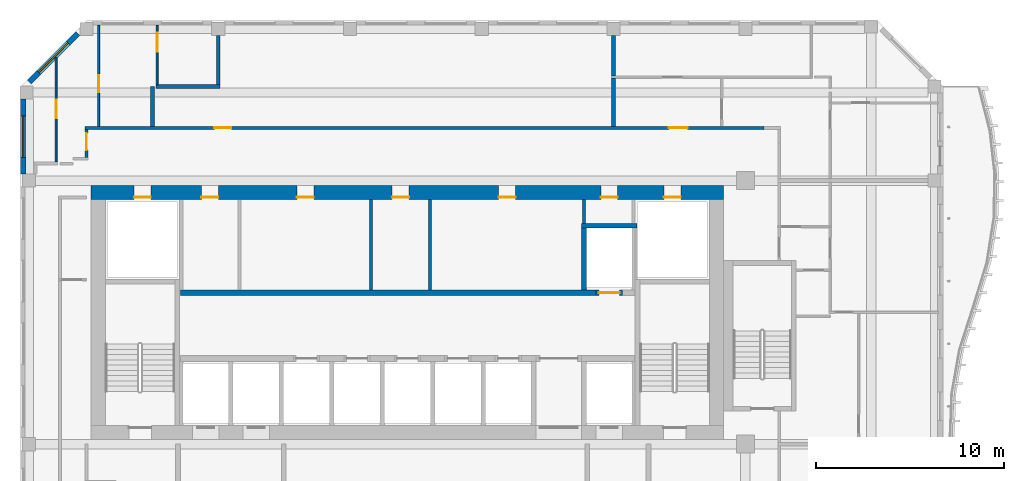
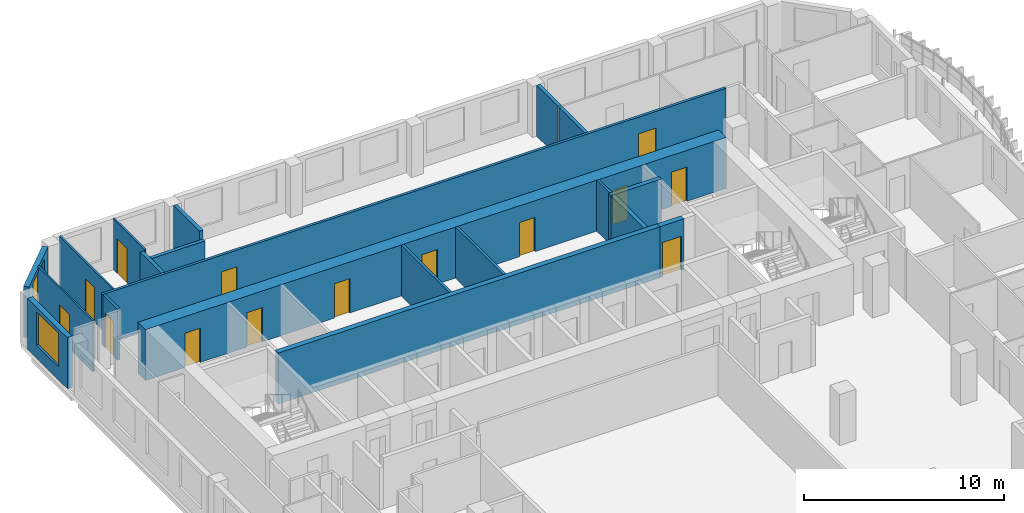
# One storey, part 7 of 19: 20 walls, 14 doors, 2 windows, 16 openings.
"""IFC4 building model written with IfcOpenShell, lengths in metres."""

from ifc_helpers import new_model, si_unit, direction, frame, frame_2d, origin, place, context, subcontext, project, spatial, rectangle, extrude, source, transform, mapped, material, layer, layer_set, type_object, element, fill, save


model = new_model("IFC4")

# Units and contexts
model_context = context("Model", 3, precision=1e-05, world=origin(), true_north=direction((0.0, 1.0)))
body_context = subcontext(model_context, "Body", "Model", "MODEL_VIEW")
ifc_project = project(units=[si_unit("LENGTHUNIT", "METRE"), si_unit("AREAUNIT", "SQUARE_METRE"), si_unit("VOLUMEUNIT", "CUBIC_METRE"), si_unit("PLANEANGLEUNIT", "RADIAN"), si_unit("MASSUNIT", "GRAM", prefix="KILO")], contexts=[model_context])

# Site, building, storey
site_placement = place(None, origin())
site = spatial("IfcSite", under=ifc_project, at=site_placement, CompositionType="ELEMENT")
building_placement = place(site_placement, origin())
building = spatial("IfcBuilding", under=site, at=building_placement, Name="Kilnfold Tower and Market Hall", CompositionType="ELEMENT")
storey_placement = place(building_placement, frame((0.0, 0.0, 245.800048828125)))
storey = spatial("IfcBuildingStorey", under=building, at=storey_placement, Name="L59", CompositionType="ELEMENT", Elevation=245.800048828125)

# Wall, opening, door
ifc_material_1 = material(Name="Gypsum board on steel studs", Category="steel")
ifc_layer_1 = layer(ifc_material_1, 0.14990234375)
ifc_layer_set_1 = layer_set([ifc_layer_1], Name="Gypsum board on steel studs")
wall_type_1 = type_object("IfcWallType", Name="WALL CORRIDOR 150", PredefinedType="PARTITIONING", material=ifc_layer_set_1)
wall_1_placement = place(storey_placement, frame((-16.0, 23.238037109375, 0.0), z_axis=(0.0, 0.0, 1.0), x_axis=(0.0, 1.0, 0.0)))
wall_1 = element("IfcWall", 1, at=wall_1_placement, inside=storey, type_object=wall_type_1, Name="Partition LY36.26", PredefinedType="PARTITIONING", context=body_context, shape_type="SweptSolid", body=[
    extrude(rectangle(XDim=1.487060546875, YDim=0.14990234375, at=frame_2d((0.74365234375, 0.0))), origin(), (0.0, 0.0, 1.0), 3.119873046875),
])
opening_1_placement = place(wall_1_placement, frame((0.386962890625, 0.0, 0.0)))
opening_1 = element("IfcOpeningElement", 2, at=opening_1_placement, cuts=wall_1, Name="Opening D2", PredefinedType="OPENING", context=body_context, shape_type="SweptSolid", body=[
    extrude(rectangle(XDim=0.89990234375, YDim=2.10009765625, at=frame_2d((0.449951171875, 1.050048828125))), frame((0.0, 0.0849609375, 0.0), z_axis=(0.0, -1.0, 0.0), x_axis=(1.0, 0.0, 0.0)), (0.0, 0.0, 1.0), 0.169921875),
])
ifc_material_2 = material(Name="Timber veneer door leaf in steel frame", Category="steel")
door_type_1 = type_object("IfcDoorType", Name="DOOR ROOM 900 X2100", OperationType="NOTDEFINED", PredefinedType="DOOR", material=ifc_material_2)
door_1_placement = place(opening_1_placement, origin())
door_1 = element("IfcDoor", 3, at=door_1_placement, inside=storey, type_object=door_type_1, Name="Door D2", OperationType="SINGLE_SWING_LEFT", OverallHeight=2.10009765625, OverallWidth=0.89990234375, PredefinedType="DOOR", context=body_context, shape_type="SweptSolid", body=[
    extrude(rectangle(XDim=0.89990234375, YDim=2.10009765625, at=frame_2d((0.449951171875, 1.050048828125))), frame((0.0, 0.02490234375, 0.0), z_axis=(0.0, -1.0, 0.0), x_axis=(1.0, 0.0, 0.0)), (0.0, 0.0, 1.0), 0.050048828125),
])
fill(opening_1, door_1)

# Wall, openings, doors
wall_2_placement = place(storey_placement, frame((-16.074951171875, 24.800048828125, 0.0), z_axis=(0.0, 0.0, 1.0), x_axis=(1.0, 0.0, 0.0)))
wall_2 = element("IfcWall", 4, at=wall_2_placement, inside=storey, type_object=wall_type_1, Name="Partition LY36.27", PredefinedType="PARTITIONING", context=body_context, shape_type="SweptSolid", body=[
    extrude(rectangle(XDim=36.072998046875, YDim=0.14990234375, at=frame_2d((18.03662109375, 0.0))), origin(), (0.0, 0.0, 1.0), 3.119873046875),
])
opening_2_placement = place(wall_2_placement, frame((6.867919921875, 0.0, 0.0)))
opening_2 = element("IfcOpeningElement", 5, at=opening_2_placement, cuts=wall_2, Name="Opening D2", PredefinedType="OPENING", context=body_context, shape_type="SweptSolid", body=[
    extrude(rectangle(XDim=0.89990234375, YDim=2.10009765625, at=frame_2d((0.449951171875, 1.050048828125))), frame((0.0, 0.0849609375, 0.0), z_axis=(0.0, -1.0, 0.0), x_axis=(1.0, 0.0, 0.0)), (0.0, 0.0, 1.0), 0.169921875),
])
opening_3_placement = place(wall_2_placement, frame((31.009033203125, 0.0, 0.0)))
opening_3 = element("IfcOpeningElement", 6, at=opening_3_placement, cuts=wall_2, Name="Opening D1", PredefinedType="OPENING", context=body_context, shape_type="SweptSolid", body=[
    extrude(rectangle(XDim=1.0, YDim=2.10009765625, at=frame_2d((0.5, 1.050048828125))), frame((0.0, 0.0849609375, 0.0), z_axis=(0.0, -1.0, 0.0), x_axis=(1.0, 0.0, 0.0)), (0.0, 0.0, 1.0), 0.169921875),
])
ifc_material_3 = material(Name="Timber veneer door leaf in steel frame", Category="steel")
door_type_2 = type_object("IfcDoorType", Name="DOOR ENTRY 1000 X2100", OperationType="NOTDEFINED", PredefinedType="DOOR", material=ifc_material_3)
door_2_placement = place(opening_3_placement, origin())
door_2 = element("IfcDoor", 7, at=door_2_placement, inside=storey, type_object=door_type_2, Name="Door D1", OperationType="SINGLE_SWING_LEFT", OverallHeight=2.10009765625, OverallWidth=1.0, PredefinedType="DOOR", context=body_context, shape_type="SweptSolid", body=[
    extrude(rectangle(XDim=1.0, YDim=2.10009765625, at=frame_2d((0.5, 1.050048828125))), frame((0.0, 0.02490234375, 0.0), z_axis=(0.0, -1.0, 0.0), x_axis=(1.0, 0.0, 0.0)), (0.0, 0.0, 1.0), 0.050048828125),
])
fill(opening_3, door_2)
door_3_placement = place(opening_2_placement, origin())
door_3 = element("IfcDoor", 8, at=door_3_placement, inside=storey, type_object=door_type_1, Name="Door D2", OperationType="SINGLE_SWING_RIGHT", OverallHeight=2.10009765625, OverallWidth=0.89990234375, PredefinedType="DOOR", context=body_context, shape_type="SweptSolid", body=[
    extrude(rectangle(XDim=0.89990234375, YDim=2.10009765625, at=frame_2d((0.449951171875, 1.050048828125))), frame((0.0, 0.02490234375, 0.0), z_axis=(0.0, -1.0, 0.0), x_axis=(1.0, 0.0, 0.0)), (0.0, 0.0, 1.0), 0.050048828125),
])
fill(opening_2, door_3)

# Wall, opening, door
ifc_material_4 = material(Name="Gypsum board on steel studs", Category="steel")
ifc_layer_2 = layer(ifc_material_4, 0.10009765625)
ifc_layer_set_2 = layer_set([ifc_layer_2], Name="Gypsum board on steel studs")
wall_type_2 = type_object("IfcWallType", Name="WALL PARTITION 100", PredefinedType="PARTITIONING", material=ifc_layer_set_2)
wall_3_placement = place(storey_placement, frame((-17.610107421875, 22.97705078125, 0.0), z_axis=(0.0, 0.0, 1.0), x_axis=(0.0, 1.0, 0.0)))
wall_3 = element("IfcWall", 9, at=wall_3_placement, inside=storey, type_object=wall_type_2, Name="Partition LY36.98", PredefinedType="PARTITIONING", context=body_context, shape_type="SweptSolid", body=[
    extrude(rectangle(XDim=5.558837890625, YDim=0.10009765625, at=frame_2d((2.779296875, 0.0))), origin(), (0.0, 0.0, 1.0), 3.119873046875),
])
opening_4_placement = place(wall_3_placement, frame((2.330078125, 0.0, 0.0)))
opening_4 = element("IfcOpeningElement", 10, at=opening_4_placement, cuts=wall_3, Name="Opening D1", PredefinedType="OPENING", context=body_context, shape_type="SweptSolid", body=[
    extrude(rectangle(XDim=1.0, YDim=2.10009765625, at=frame_2d((0.5, 1.050048828125))), frame((0.0, 0.06005859375, 0.0), z_axis=(0.0, -1.0, 0.0), x_axis=(1.0, 0.0, 0.0)), (0.0, 0.0, 1.0), 0.1201171875),
])
door_4_placement = place(opening_4_placement, origin())
door_4 = element("IfcDoor", 11, at=door_4_placement, inside=storey, type_object=door_type_2, Name="Door D1", OperationType="SINGLE_SWING_RIGHT", OverallHeight=2.10009765625, OverallWidth=1.0, PredefinedType="DOOR", context=body_context, shape_type="SweptSolid", body=[
    extrude(rectangle(XDim=1.0, YDim=2.10009765625, at=frame_2d((0.5, 1.050048828125))), frame((0.0, 0.02490234375, 0.0), z_axis=(0.0, -1.0, 0.0), x_axis=(1.0, 0.0, 0.0)), (0.0, 0.0, 1.0), 0.050048828125),
])
fill(opening_4, door_4)

wall_4_placement = place(storey_placement, frame((-15.35498046875, 24.876953125, 0.0), z_axis=(0.0, 0.0, 1.0), x_axis=(0.0, 1.0, 0.0)))
wall_4 = element("IfcWall", 12, at=wall_4_placement, inside=storey, type_object=wall_type_2, Name="Partition LY36.99", PredefinedType="PARTITIONING", context=body_context, shape_type="SweptSolid", body=[
    extrude(rectangle(XDim=5.373046875, YDim=0.10009765625, at=frame_2d((2.6865234375, 0.0))), origin(), (0.0, 0.0, 1.0), 3.119873046875),
])
opening_5_placement = place(wall_4_placement, frame((1.8291015625, 0.0, 0.0)))
opening_5 = element("IfcOpeningElement", 13, at=opening_5_placement, cuts=wall_4, Name="Opening D2", PredefinedType="OPENING", context=body_context, shape_type="SweptSolid", body=[
    extrude(rectangle(XDim=0.89990234375, YDim=2.10009765625, at=frame_2d((0.449951171875, 1.050048828125))), frame((0.0, 0.06005859375, 0.0), z_axis=(0.0, -1.0, 0.0), x_axis=(1.0, 0.0, 0.0)), (0.0, 0.0, 1.0), 0.1201171875),
])
door_5_placement = place(opening_5_placement, origin())
door_5 = element("IfcDoor", 14, at=door_5_placement, inside=storey, type_object=door_type_1, Name="Door D2", OperationType="SINGLE_SWING_LEFT", OverallHeight=2.10009765625, OverallWidth=0.89990234375, PredefinedType="DOOR", context=body_context, shape_type="SweptSolid", body=[
    extrude(rectangle(XDim=0.89990234375, YDim=2.10009765625, at=frame_2d((0.449951171875, 1.050048828125))), frame((0.0, 0.02490234375, 0.0), z_axis=(0.0, -1.0, 0.0), x_axis=(1.0, 0.0, 0.0)), (0.0, 0.0, 1.0), 0.050048828125),
])
fill(opening_5, door_5)

wall_5_placement = place(storey_placement, frame((-12.25, 27.10009765625, 0.0), z_axis=(0.0, 0.0, 1.0), x_axis=(0.0, 1.0, 0.0)))
wall_5 = element("IfcWall", 15, at=wall_5_placement, inside=storey, type_object=wall_type_2, Name="Partition LY36.100", PredefinedType="PARTITIONING", context=body_context, shape_type="SweptSolid", body=[
    extrude(rectangle(XDim=3.14990234375, YDim=0.10009765625, at=frame_2d((1.574951171875, 0.0))), origin(), (0.0, 0.0, 1.0), 3.119873046875),
])
opening_6_placement = place(wall_5_placement, frame((1.743896484375, 0.0, 0.0)))
opening_6 = element("IfcOpeningElement", 16, at=opening_6_placement, cuts=wall_5, Name="Opening D1", PredefinedType="OPENING", context=body_context, shape_type="SweptSolid", body=[
    extrude(rectangle(XDim=1.0, YDim=2.10009765625, at=frame_2d((0.5, 1.050048828125))), frame((0.0, 0.06005859375, 0.0), z_axis=(0.0, -1.0, 0.0), x_axis=(1.0, 0.0, 0.0)), (0.0, 0.0, 1.0), 0.1201171875),
])
door_6_placement = place(opening_6_placement, origin())
door_6 = element("IfcDoor", 17, at=door_6_placement, inside=storey, type_object=door_type_2, Name="Door D1", OperationType="SINGLE_SWING_RIGHT", OverallHeight=2.10009765625, OverallWidth=1.0, PredefinedType="DOOR", context=body_context, shape_type="SweptSolid", body=[
    extrude(rectangle(XDim=1.0, YDim=2.10009765625, at=frame_2d((0.5, 1.050048828125))), frame((0.0, 0.02490234375, 0.0), z_axis=(0.0, -1.0, 0.0), x_axis=(1.0, 0.0, 0.0)), (0.0, 0.0, 1.0), 0.050048828125),
])
fill(opening_6, door_6)

# Walls
ifc_material_5 = material(Name="Gypsum board on steel studs", Category="steel")
ifc_layer_3 = layer(ifc_material_5, 0.199951171875)
ifc_layer_set_3 = layer_set([ifc_layer_3], Name="Gypsum board on steel studs")
wall_type_3 = type_object("IfcWallType", Name="WALL PARTY 200", PredefinedType="PARTITIONING", material=ifc_layer_set_3)
wall_6_placement = place(storey_placement, frame((12.0, 24.876953125, 0.0), z_axis=(0.0, 0.0, 1.0), x_axis=(0.0, 1.0, 0.0)))
element("IfcWall", 18, at=wall_6_placement, inside=storey, type_object=wall_type_3, Name="Partition LY36.87", PredefinedType="PARTITIONING", context=body_context, shape_type="SweptSolid", body=[
    extrude(rectangle(XDim=2.572998046875, YDim=0.199951171875, at=frame_2d((1.28662109375, 0.0))), origin(), (0.0, 0.0, 1.0), 3.119873046875),
])
wall_7_placement = place(storey_placement, frame((12.0, 27.552001953125, 0.0), z_axis=(0.0, 0.0, 1.0), x_axis=(0.0, 1.0, 0.0)))
element("IfcWall", 19, at=wall_7_placement, inside=storey, type_object=wall_type_3, Name="Partition LY36.93", PredefinedType="PARTITIONING", context=body_context, shape_type="SweptSolid", body=[
    extrude(rectangle(XDim=2.14794921875, YDim=0.199951171875, at=frame_2d((1.073974609375, 0.0))), origin(), (0.0, 0.0, 1.0), 3.119873046875),
])
wall_8_placement = place(storey_placement, frame((-12.5, 27.0, 0.0), z_axis=(0.0, 0.0, 1.0), x_axis=(0.0, -1.0, 0.0)))
element("IfcWall", 20, at=wall_8_placement, inside=storey, type_object=wall_type_3, Name="Partition LY36.95", PredefinedType="PARTITIONING", context=body_context, shape_type="SweptSolid", body=[
    extrude(rectangle(XDim=2.123046875, YDim=0.199951171875, at=frame_2d((1.0615234375, 0.0))), origin(), (0.0, 0.0, 1.0), 3.119873046875),
])
wall_9_placement = place(storey_placement, frame((-8.89990234375, 27.0, 0.0), z_axis=(0.0, 0.0, 1.0), x_axis=(-1.0, 0.0, 0.0)))
element("IfcWall", 21, at=wall_9_placement, inside=storey, type_object=wall_type_3, Name="Partition LY36.96", PredefinedType="PARTITIONING", context=body_context, shape_type="SweptSolid", body=[
    extrude(rectangle(XDim=3.41015625, YDim=0.199951171875, at=frame_2d((1.705078125, 0.0))), origin(), (0.0, 0.0, 1.0), 2.570068359375),
])
wall_10_placement = place(storey_placement, frame((-9.0, 27.10009765625, 0.0), z_axis=(0.0, 0.0, 1.0), x_axis=(0.0, 1.0, 0.0)))
element("IfcWall", 22, at=wall_10_placement, inside=storey, type_object=wall_type_3, Name="Partition LY36.97", PredefinedType="PARTITIONING", context=body_context, shape_type="SweptSolid", body=[
    extrude(rectangle(XDim=2.599853515625, YDim=0.199951171875, at=frame_2d((1.2998046875, 0.0))), origin(), (0.0, 0.0, 1.0), 3.119873046875),
])

# Wall, openings, doors
ifc_material_6 = material(Name="Concrete C60", Category="concrete")
ifc_layer_4 = layer(ifc_material_6, 0.75)
ifc_layer_set_4 = layer_set([ifc_layer_4], Name="Concrete C60")
wall_type_4 = type_object("IfcWallType", Name="CORE WALL 750 C60", PredefinedType="SHEAR", material=ifc_layer_set_4)
shared_shape_1 = source(origin(), body_context, "Body", "SweptSolid", [
    extrude(rectangle(XDim=33.60009765625, YDim=0.75, at=frame_2d((16.800048828125, 0.0))), origin(), (0.0, 0.0, 1.0), 3.119873046875),
])
wall_11_placement = place(storey_placement, frame((-15.75, 21.375, 0.0), z_axis=(0.0, 0.0, 1.0), x_axis=(1.0, 0.0, 0.0)))
wall_11 = element("IfcWall", 23, at=wall_11_placement, inside=storey, type_object=wall_type_4, Name="Core outer wall north", PredefinedType="SHEAR", context=body_context, shape_type="MappedRepresentation", body=[
    mapped(shared_shape_1, transform((0.0, 0.0, 0.0))),
])
opening_7_placement = place(wall_11_placement, frame((5.85791015625, 0.0, 0.0)))
opening_7 = element("IfcOpeningElement", 24, at=opening_7_placement, cuts=wall_11, Name="Opening KD1", PredefinedType="OPENING", context=body_context, shape_type="SweptSolid", body=[
    extrude(rectangle(XDim=0.89990234375, YDim=2.10009765625, at=frame_2d((0.449951171875, 1.050048828125))), frame((0.0, 0.385009765625, 0.0), z_axis=(0.0, -1.0, 0.0), x_axis=(1.0, 0.0, 0.0)), (0.0, 0.0, 1.0), 0.77001953125),
])
opening_8_placement = place(wall_11_placement, frame((10.923095703125, 0.0, 0.0)))
opening_8 = element("IfcOpeningElement", 25, at=opening_8_placement, cuts=wall_11, Name="Opening KD1", PredefinedType="OPENING", context=body_context, shape_type="SweptSolid", body=[
    extrude(rectangle(XDim=0.89990234375, YDim=2.10009765625, at=frame_2d((0.449951171875, 1.050048828125))), frame((0.0, 0.385009765625, 0.0), z_axis=(0.0, -1.0, 0.0), x_axis=(1.0, 0.0, 0.0)), (0.0, 0.0, 1.0), 0.77001953125),
])
opening_9_placement = place(wall_11_placement, frame((15.98828125, 0.0, 0.0)))
opening_9 = element("IfcOpeningElement", 26, at=opening_9_placement, cuts=wall_11, Name="Opening KD1", PredefinedType="OPENING", context=body_context, shape_type="SweptSolid", body=[
    extrude(rectangle(XDim=0.89990234375, YDim=2.10009765625, at=frame_2d((0.449951171875, 1.050048828125))), frame((0.0, 0.385009765625, 0.0), z_axis=(0.0, -1.0, 0.0), x_axis=(1.0, 0.0, 0.0)), (0.0, 0.0, 1.0), 0.77001953125),
])
opening_10_placement = place(wall_11_placement, frame((21.64306640625, 0.0, 0.0)))
opening_10 = element("IfcOpeningElement", 27, at=opening_10_placement, cuts=wall_11, Name="Opening KD1", PredefinedType="OPENING", context=body_context, shape_type="SweptSolid", body=[
    extrude(rectangle(XDim=0.89990234375, YDim=2.10009765625, at=frame_2d((0.449951171875, 1.050048828125))), frame((0.0, 0.385009765625, 0.0), z_axis=(0.0, -1.0, 0.0), x_axis=(1.0, 0.0, 0.0)), (0.0, 0.0, 1.0), 0.77001953125),
])
opening_11_placement = place(wall_11_placement, frame((27.070068359375, 0.0, 0.0)))
opening_11 = element("IfcOpeningElement", 28, at=opening_11_placement, cuts=wall_11, Name="Opening KD1", PredefinedType="OPENING", context=body_context, shape_type="SweptSolid", body=[
    extrude(rectangle(XDim=0.89990234375, YDim=2.10009765625, at=frame_2d((0.449951171875, 1.050048828125))), frame((0.0, 0.385009765625, 0.0), z_axis=(0.0, -1.0, 0.0), x_axis=(1.0, 0.0, 0.0)), (0.0, 0.0, 1.0), 0.77001953125),
])
opening_12_placement = place(wall_11_placement, frame((2.27490234375, 0.0, 0.0)))
opening_12 = element("IfcOpeningElement", 29, at=opening_12_placement, cuts=wall_11, Name="Opening KD1", PredefinedType="OPENING", context=body_context, shape_type="SweptSolid", body=[
    extrude(rectangle(XDim=0.89990234375, YDim=2.10009765625, at=frame_2d((0.449951171875, 1.050048828125))), frame((0.0, 0.385009765625, 0.0), z_axis=(0.0, -1.0, 0.0), x_axis=(1.0, 0.0, 0.0)), (0.0, 0.0, 1.0), 0.77001953125),
])
opening_13_placement = place(wall_11_placement, frame((30.425048828125, 0.0, 0.0)))
opening_13 = element("IfcOpeningElement", 30, at=opening_13_placement, cuts=wall_11, Name="Opening KD1", PredefinedType="OPENING", context=body_context, shape_type="SweptSolid", body=[
    extrude(rectangle(XDim=0.89990234375, YDim=2.10009765625, at=frame_2d((0.449951171875, 1.050048828125))), frame((0.0, 0.385009765625, 0.0), z_axis=(0.0, -1.0, 0.0), x_axis=(1.0, 0.0, 0.0)), (0.0, 0.0, 1.0), 0.77001953125),
])
ifc_material_7 = material(Name="Steel door set with fire-resisting leaf", Category="steel")
door_type_3 = type_object("IfcDoorType", Name="SERVICE DOOR 900X2100", OperationType="NOTDEFINED", PredefinedType="DOOR", material=ifc_material_7)
door_7_placement = place(opening_7_placement, origin())
door_7 = element("IfcDoor", 31, at=door_7_placement, inside=storey, type_object=door_type_3, Name="Core service door", OperationType="SINGLE_SWING_RIGHT", OverallHeight=2.10009765625, OverallWidth=0.89990234375, PredefinedType="DOOR", context=body_context, shape_type="SweptSolid", body=[
    extrude(rectangle(XDim=0.89990234375, YDim=2.10009765625, at=frame_2d((0.449951171875, 1.050048828125))), frame((0.0, -0.22998046875, 0.0), z_axis=(0.0, -1.0, 0.0), x_axis=(1.0, 0.0, 0.0)), (0.0, 0.0, 1.0), 0.050048828125),
])
fill(opening_7, door_7)
door_8_placement = place(opening_8_placement, origin())
door_8 = element("IfcDoor", 32, at=door_8_placement, inside=storey, type_object=door_type_3, Name="Core service door", OperationType="SINGLE_SWING_LEFT", OverallHeight=2.10009765625, OverallWidth=0.89990234375, PredefinedType="DOOR", context=body_context, shape_type="SweptSolid", body=[
    extrude(rectangle(XDim=0.89990234375, YDim=2.10009765625, at=frame_2d((0.449951171875, 1.050048828125))), frame((0.0, -0.22998046875, 0.0), z_axis=(0.0, -1.0, 0.0), x_axis=(1.0, 0.0, 0.0)), (0.0, 0.0, 1.0), 0.050048828125),
])
fill(opening_8, door_8)
door_9_placement = place(opening_9_placement, origin())
door_9 = element("IfcDoor", 33, at=door_9_placement, inside=storey, type_object=door_type_3, Name="Core service door", OperationType="SINGLE_SWING_RIGHT", OverallHeight=2.10009765625, OverallWidth=0.89990234375, PredefinedType="DOOR", context=body_context, shape_type="SweptSolid", body=[
    extrude(rectangle(XDim=0.89990234375, YDim=2.10009765625, at=frame_2d((0.449951171875, 1.050048828125))), frame((0.0, -0.22998046875, 0.0), z_axis=(0.0, -1.0, 0.0), x_axis=(1.0, 0.0, 0.0)), (0.0, 0.0, 1.0), 0.050048828125),
])
fill(opening_9, door_9)
door_10_placement = place(opening_10_placement, origin())
door_10 = element("IfcDoor", 34, at=door_10_placement, inside=storey, type_object=door_type_3, Name="Core service door", OperationType="SINGLE_SWING_LEFT", OverallHeight=2.10009765625, OverallWidth=0.89990234375, PredefinedType="DOOR", context=body_context, shape_type="SweptSolid", body=[
    extrude(rectangle(XDim=0.89990234375, YDim=2.10009765625, at=frame_2d((0.449951171875, 1.050048828125))), frame((0.0, -0.22998046875, 0.0), z_axis=(0.0, -1.0, 0.0), x_axis=(1.0, 0.0, 0.0)), (0.0, 0.0, 1.0), 0.050048828125),
])
fill(opening_10, door_10)
door_11_placement = place(opening_11_placement, origin())
door_11 = element("IfcDoor", 35, at=door_11_placement, inside=storey, type_object=door_type_3, Name="Core service door", OperationType="SINGLE_SWING_RIGHT", OverallHeight=2.10009765625, OverallWidth=0.89990234375, PredefinedType="DOOR", context=body_context, shape_type="SweptSolid", body=[
    extrude(rectangle(XDim=0.89990234375, YDim=2.10009765625, at=frame_2d((0.449951171875, 1.050048828125))), frame((0.0, -0.22998046875, 0.0), z_axis=(0.0, -1.0, 0.0), x_axis=(1.0, 0.0, 0.0)), (0.0, 0.0, 1.0), 0.050048828125),
])
fill(opening_11, door_11)
door_12_placement = place(opening_12_placement, origin())
door_12 = element("IfcDoor", 36, at=door_12_placement, inside=storey, type_object=door_type_3, Name="Electrical riser access door", OperationType="SINGLE_SWING_LEFT", OverallHeight=2.10009765625, OverallWidth=0.89990234375, PredefinedType="DOOR", context=body_context, shape_type="SweptSolid", body=[
    extrude(rectangle(XDim=0.89990234375, YDim=2.10009765625, at=frame_2d((0.449951171875, 1.050048828125))), frame((0.0, -0.22998046875, 0.0), z_axis=(0.0, -1.0, 0.0), x_axis=(1.0, 0.0, 0.0)), (0.0, 0.0, 1.0), 0.050048828125),
])
fill(opening_12, door_12)
door_13_placement = place(opening_13_placement, origin())
door_13 = element("IfcDoor", 37, at=door_13_placement, inside=storey, type_object=door_type_3, Name="Mechanical riser access door", OperationType="SINGLE_SWING_RIGHT", OverallHeight=2.10009765625, OverallWidth=0.89990234375, PredefinedType="DOOR", context=body_context, shape_type="SweptSolid", body=[
    extrude(rectangle(XDim=0.89990234375, YDim=2.10009765625, at=frame_2d((0.449951171875, 1.050048828125))), frame((0.0, -0.22998046875, 0.0), z_axis=(0.0, -1.0, 0.0), x_axis=(1.0, 0.0, 0.0)), (0.0, 0.0, 1.0), 0.050048828125),
])
fill(opening_13, door_13)

# Wall
ifc_material_8 = material(Name="Concrete C60", Category="concrete")
ifc_layer_5 = layer(ifc_material_8, 0.300048828125)
ifc_layer_set_5 = layer_set([ifc_layer_5], Name="Concrete C60")
wall_type_5 = type_object("IfcWallType", Name="CORE WALL 300 C60", PredefinedType="SHEAR", material=ifc_layer_set_5)
shared_shape_2 = source(origin(), body_context, "Body", "SweptSolid", [
    extrude(rectangle(XDim=22.080078125, YDim=0.300048828125, at=frame_2d((11.0400390625, 0.0))), origin(), (0.0, 0.0, 1.0), 3.119873046875),
])
wall_12_placement = place(storey_placement, frame((-11.010009765625, 16.050048828125, 0.0), z_axis=(0.0, 0.0, 1.0), x_axis=(1.0, 0.0, 0.0)))
element("IfcWall", 38, at=wall_12_placement, inside=storey, type_object=wall_type_5, Name="Core spine wall", PredefinedType="SHEAR", context=body_context, shape_type="MappedRepresentation", body=[
    mapped(shared_shape_2, transform((0.0, 0.0, 0.0))),
])

# Wall, opening, window
ifc_material_9 = material(Name="Precast concrete C50/60", Category="concrete")
ifc_layer_6 = layer(ifc_material_9, 0.300048828125)
ifc_layer_set_6 = layer_set([ifc_layer_6], Name="Precast concrete C50/60")
wall_type_6 = type_object("IfcWallType", Name="PRECAST WALL 300", PredefinedType="SOLIDWALL", material=ifc_layer_set_6)
shared_shape_3 = source(origin(), body_context, "Body", "SweptSolid", [
    extrude(rectangle(XDim=3.6416015625, YDim=0.300048828125, at=frame_2d((1.82080078125, 0.0))), origin(), (0.0, 0.0, 1.0), 3.119873046875),
])
wall_13_placement = place(storey_placement, frame((-16.468994140625, 29.81884765625, 0.0), z_axis=(0.0, 0.0, 1.0), x_axis=(-0.707106781187, -0.707106781187, 0.0)))
wall_13 = element("IfcWall", 39, at=wall_13_placement, inside=storey, type_object=wall_type_6, Name="External wall L59 NW", PredefinedType="SOLIDWALL", context=body_context, shape_type="MappedRepresentation", body=[
    mapped(shared_shape_3, transform((0.0, 0.0, 0.0))),
])
opening_14_placement = place(wall_13_placement, frame((0.720703125, 0.0, 0.800048828125)))
opening_14 = element("IfcOpeningElement", 40, at=opening_14_placement, cuts=wall_13, Name="Opening W3", PredefinedType="OPENING", context=body_context, shape_type="SweptSolid", body=[
    extrude(rectangle(XDim=2.199951171875, YDim=2.050048828125, at=frame_2d((1.10009765625, 1.02490234375))), frame((0.0, 0.16015625, 0.0), z_axis=(0.0, -1.0, 0.0), x_axis=(1.0, 0.0, 0.0)), (0.0, 0.0, 1.0), 0.320068359375),
])
ifc_material_10 = material(Name="Aluminium frame and double glazing", Category="aluminium")
window_type = type_object("IfcWindowType", Name="WINDOW W3 2200X2050", PartitioningType="SINGLE_PANEL", PredefinedType="WINDOW", material=ifc_material_10)
window_1_placement = place(opening_14_placement, origin())
window_1 = element("IfcWindow", 41, at=window_1_placement, inside=storey, type_object=window_type, Name="Window W3 L59 NW-1", OverallHeight=2.050048828125, OverallWidth=2.199951171875, PartitioningType="SINGLE_PANEL", PredefinedType="WINDOW", context=body_context, shape_type="SweptSolid", body=[
    extrude(rectangle(XDim=2.199951171875, YDim=2.050048828125, at=frame_2d((1.10009765625, 1.02490234375))), frame((0.0, 0.030029296875, 0.0), z_axis=(0.0, -1.0, 0.0), x_axis=(1.0, 0.0, 0.0)), (0.0, 0.0, 1.0), 0.06005859375),
])
fill(opening_14, window_1)

shared_shape_4 = source(origin(), body_context, "Body", "SweptSolid", [
    extrude(rectangle(XDim=3.981689453125, YDim=0.300048828125, at=frame_2d((1.99072265625, 0.0))), origin(), (0.0, 0.0, 1.0), 3.119873046875),
])
wall_14_placement = place(storey_placement, frame((-19.35009765625, 26.331787109375, 0.0), z_axis=(0.0, 0.0, 1.0), x_axis=(0.0, -1.0, 0.0)))
wall_14 = element("IfcWall", 42, at=wall_14_placement, inside=storey, type_object=wall_type_6, Name="External wall L59 W", PredefinedType="SOLIDWALL", context=body_context, shape_type="MappedRepresentation", body=[
    mapped(shared_shape_4, transform((0.0, 0.0, 0.0))),
])
opening_15_placement = place(wall_14_placement, frame((0.890869140625, 0.0, 0.800048828125)))
opening_15 = element("IfcOpeningElement", 43, at=opening_15_placement, cuts=wall_14, Name="Opening W3", PredefinedType="OPENING", context=body_context, shape_type="SweptSolid", body=[
    extrude(rectangle(XDim=2.199951171875, YDim=2.050048828125, at=frame_2d((1.10009765625, 1.02490234375))), frame((0.0, 0.16015625, 0.0), z_axis=(0.0, -1.0, 0.0), x_axis=(1.0, 0.0, 0.0)), (0.0, 0.0, 1.0), 0.320068359375),
])
window_2_placement = place(opening_15_placement, origin())
window_2 = element("IfcWindow", 44, at=window_2_placement, inside=storey, type_object=window_type, Name="Window W3 L59 W-1", OverallHeight=2.050048828125, OverallWidth=2.199951171875, PartitioningType="SINGLE_PANEL", PredefinedType="WINDOW", context=body_context, shape_type="SweptSolid", body=[
    extrude(rectangle(XDim=2.199951171875, YDim=2.050048828125, at=frame_2d((1.10009765625, 1.02490234375))), frame((0.0, 0.030029296875, 0.0), z_axis=(0.0, -1.0, 0.0), x_axis=(1.0, 0.0, 0.0)), (0.0, 0.0, 1.0), 0.06005859375),
])
fill(opening_15, window_2)

# Wall, opening, door
ifc_material_11 = material(Name="Gypsum shaft wall system")
ifc_layer_7 = layer(ifc_material_11, 0.300048828125)
ifc_layer_set_7 = layer_set([ifc_layer_7], Name="Gypsum shaft wall system")
wall_type_7 = type_object("IfcWallType", Name="SHAFT WALL 300", PredefinedType="PARTITIONING", material=ifc_layer_set_7)
shared_shape_5 = source(origin(), body_context, "Body", "SweptSolid", [
    extrude(rectangle(XDim=1.39990234375, YDim=0.300048828125, at=frame_2d((0.699951171875, 0.0))), origin(), (0.0, 0.0, 1.0), 3.119873046875),
])
wall_15_placement = place(storey_placement, frame((11.070068359375, 16.050048828125, 0.0), z_axis=(0.0, 0.0, 1.0), x_axis=(1.0, 0.0, 0.0)))
wall_15 = element("IfcWall", 45, at=wall_15_placement, inside=storey, type_object=wall_type_7, Name="Lift shaft front wall", PredefinedType="PARTITIONING", context=body_context, shape_type="MappedRepresentation", body=[
    mapped(shared_shape_5, transform((0.0, 0.0, 0.0))),
])
opening_16_placement = place(wall_15_placement, frame((0.14990234375, 0.0, 0.0)))
opening_16 = element("IfcOpeningElement", 46, at=opening_16_placement, cuts=wall_15, Name="Opening LD2", PredefinedType="OPENING", context=body_context, shape_type="SweptSolid", body=[
    extrude(rectangle(XDim=1.10009765625, YDim=2.10009765625, at=frame_2d((0.550048828125, 1.050048828125))), frame((0.0, 0.16015625, 0.0), z_axis=(0.0, -1.0, 0.0), x_axis=(1.0, 0.0, 0.0)), (0.0, 0.0, 1.0), 0.320068359375),
])
ifc_material_12 = material(Name="Steel door set with fire-resisting leaf", Category="steel")
door_type_4 = type_object("IfcDoorType", Name="LANDING DOOR 1100X2100", OperationType="NOTDEFINED", PredefinedType="DOOR", material=ifc_material_12)
door_14_placement = place(opening_16_placement, origin())
door_14 = element("IfcDoor", 47, at=door_14_placement, inside=storey, type_object=door_type_4, Name="Landing door HR6", OperationType="DOUBLE_DOOR_SLIDING", OverallHeight=2.10009765625, OverallWidth=1.10009765625, PredefinedType="DOOR", context=body_context, shape_type="SweptSolid", body=[
    extrude(rectangle(XDim=1.10009765625, YDim=2.10009765625, at=frame_2d((0.550048828125, 1.050048828125))), frame((0.0, 0.02490234375, 0.0), z_axis=(0.0, -1.0, 0.0), x_axis=(1.0, 0.0, 0.0)), (0.0, 0.0, 1.0), 0.050048828125),
])
fill(opening_16, door_14)

# Walls
ifc_material_13 = material(Name="Gypsum shaft wall system")
ifc_layer_8 = layer(ifc_material_13, 0.25)
ifc_layer_set_8 = layer_set([ifc_layer_8], Name="Gypsum shaft wall system")
wall_type_8 = type_object("IfcWallType", Name="SHAFT WALL 250", PredefinedType="PARTITIONING", material=ifc_layer_set_8)
shared_shape_6 = source(origin(), body_context, "Body", "SweptSolid", [
    extrude(rectangle(XDim=3.275146484375, YDim=0.25, at=frame_2d((1.6376953125, 0.0))), origin(), (0.0, 0.0, 1.0), 3.119873046875),
])
wall_16_placement = place(storey_placement, frame((10.429931640625, 16.199951171875, 0.0), z_axis=(0.0, 0.0, 1.0), x_axis=(0.0, 1.0, 0.0)))
element("IfcWall", 48, at=wall_16_placement, inside=storey, type_object=wall_type_8, Name="Lift shaft wall", PredefinedType="PARTITIONING", context=body_context, shape_type="MappedRepresentation", body=[
    mapped(shared_shape_6, transform((0.0, 0.0, 0.0))),
])
ifc_material_14 = material(Name="Gypsum shaft wall system")
ifc_layer_9 = layer(ifc_material_14, 0.14990234375)
ifc_layer_set_9 = layer_set([ifc_layer_9], Name="Gypsum shaft wall system")
wall_type_9 = type_object("IfcWallType", Name="ROOM WALL 150", PredefinedType="PARTITIONING", material=ifc_layer_set_9)
shared_shape_7 = source(origin(), body_context, "Body", "SweptSolid", [
    extrude(rectangle(XDim=4.800048828125, YDim=0.14990234375, at=frame_2d((2.39990234375, 0.0))), origin(), (0.0, 0.0, 1.0), 3.119873046875),
])
for number, where, z_axis, x_axis, name in (
    (49, (-0.879638671875, 16.199951171875, 0.0), (0.0, 0.0, 1.0), (0.0, 1.0, 0.0), "Core room wall"),
    (50, (2.256103515625, 16.199951171875, 0.0), (0.0, 0.0, 1.0), (0.0, 1.0, 0.0), "Core room wall"),
):
    element("IfcWall", number, at=place(storey_placement, frame(where, z_axis=z_axis, x_axis=x_axis)), inside=storey, type_object=wall_type_9, Name=name, PredefinedType="PARTITIONING", context=body_context, shape_type="MappedRepresentation", body=[
        mapped(shared_shape_7, transform((0.0, 0.0, 0.0))),
    ])
shared_shape_8 = source(origin(), body_context, "Body", "SweptSolid", [
    extrude(rectangle(XDim=1.27490234375, YDim=0.14990234375, at=frame_2d((0.637451171875, 0.0))), origin(), (0.0, 0.0, 1.0), 3.119873046875),
])
wall_17_placement = place(storey_placement, frame((10.429931640625, 19.72509765625, 0.0), z_axis=(0.0, 0.0, 1.0), x_axis=(0.0, 1.0, 0.0)))
element("IfcWall", 51, at=wall_17_placement, inside=storey, type_object=wall_type_9, Name="Core room wall", PredefinedType="PARTITIONING", context=body_context, shape_type="MappedRepresentation", body=[
    mapped(shared_shape_8, transform((0.0, 0.0, 0.0))),
])
shared_shape_9 = source(origin(), body_context, "Body", "SweptSolid", [
    extrude(rectangle(XDim=2.93017578125, YDim=0.25, at=frame_2d((1.465087890625, 0.0))), origin(), (0.0, 0.0, 1.0), 3.119873046875),
])
wall_18_placement = place(storey_placement, frame((10.304931640625, 19.60009765625, 0.0), z_axis=(0.0, 0.0, 1.0), x_axis=(1.0, 0.0, 0.0)))
element("IfcWall", 52, at=wall_18_placement, inside=storey, type_object=wall_type_8, Name="Lift shaft wall", PredefinedType="PARTITIONING", context=body_context, shape_type="MappedRepresentation", body=[
    mapped(shared_shape_9, transform((0.0, 0.0, 0.0))),
])

save(model, "model.ifc")
